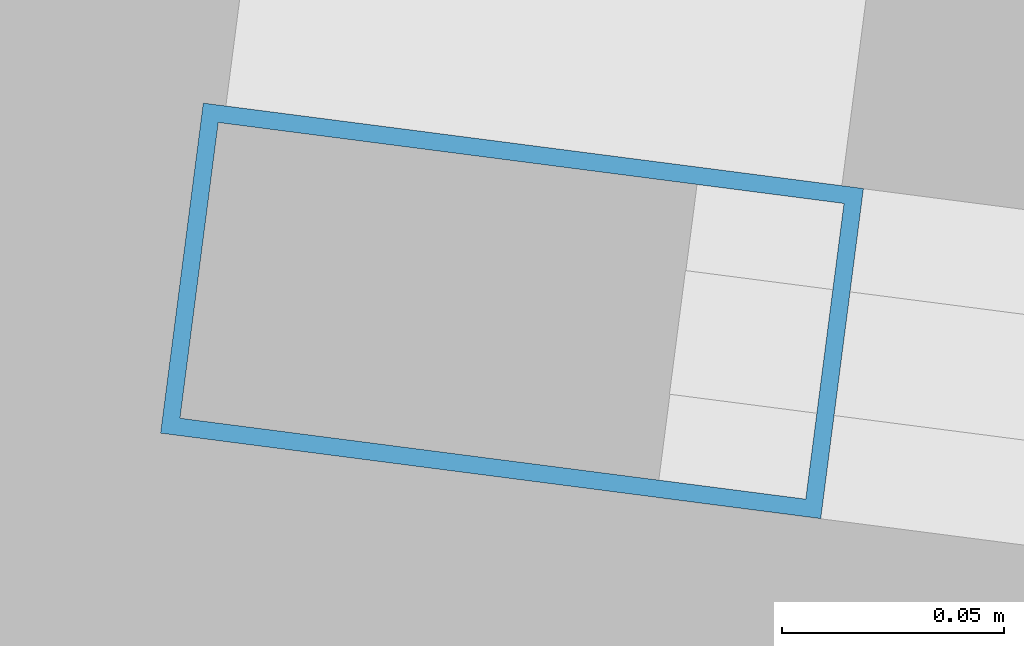
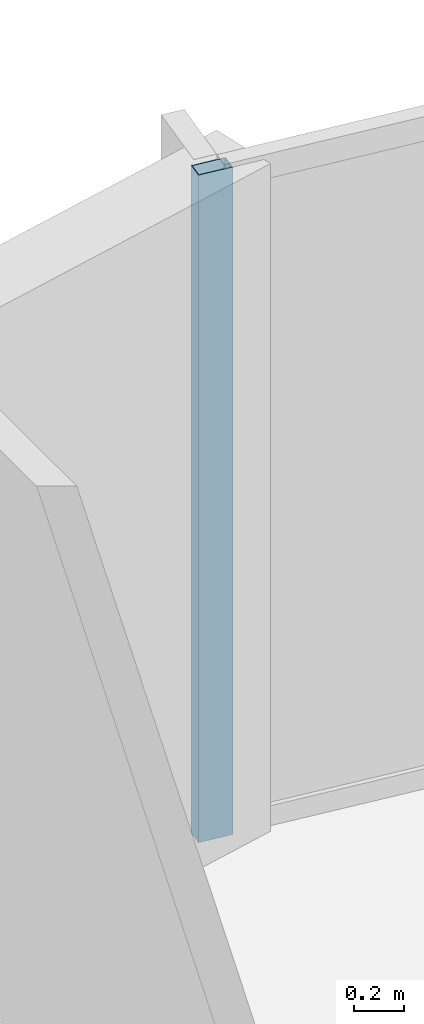
# One storey, part 22 of 33: 1 member, 1 element without a shape of its own.
"""IFC4 building model written with IfcOpenShell, lengths in metres."""

from ifc_helpers import new_model, si_unit, direction, frame, origin, origin_2d, place, context, subcontext, project, spatial, hollow_rectangle, extrude, material, layer, layer_set, material_profile, profile_set, type_object, element, aggregate, save


model = new_model("IFC4")

# Units and contexts
model_context = context("Model", 3, precision=1e-05, world=origin(), true_north=direction((0.0, 1.0)))
body_context = subcontext(model_context, "Body", "Model", "MODEL_VIEW")
ifc_project = project(units=[si_unit("LENGTHUNIT", "METRE"), si_unit("AREAUNIT", "SQUARE_METRE"), si_unit("VOLUMEUNIT", "CUBIC_METRE"), si_unit("PLANEANGLEUNIT", "RADIAN"), si_unit("MASSUNIT", "GRAM", prefix="KILO")], contexts=[model_context])

# Site, building, storey
site_placement = place(None, origin())
site = spatial("IfcSite", under=ifc_project, at=site_placement, CompositionType="ELEMENT")
building_placement = place(site_placement, origin())
building = spatial("IfcBuilding", under=site, at=building_placement, Name="Kazevale Care Tower and Concert Hall", CompositionType="ELEMENT")
storey_placement = place(building_placement, frame((0.0, 0.0, 178.199951171875)))
storey = spatial("IfcBuildingStorey", under=building, at=storey_placement, Name="L47", CompositionType="ELEMENT", Elevation=178.199951171875)

# Curtain wall, member
ifc_material_1 = material(Name="Aluminium 6063-T6 and Low-E Glass", Category="aluminium")
ifc_layer = layer(ifc_material_1, 0.179931640625)
ifc_layer_set = layer_set([ifc_layer], Name="Aluminium 6063-T6 and Low-E Glass")
curtain_wall_type = type_object("IfcCurtainWallType", Name="Convex Recessed Sunroom Curtain Wall CW-3", PredefinedType="NOTDEFINED", material=ifc_layer_set)
curtain_wall_placement = place(storey_placement, origin())
curtain_wall = element("IfcCurtainWall", 1, at=curtain_wall_placement, inside=storey, type_object=curtain_wall_type, Name="cw:L47:f16", PredefinedType="NOTDEFINED")
ifc_material_2 = material(Name="Aluminium 6063-T6", Category="aluminium")
ifc_material_profile = material_profile(ifc_material_2, hollow_rectangle(XDim=0.074951171875, YDim=0.14990234375, WallThickness=0.00390625, at=origin_2d()), Name="ALU75x150x4")
ifc_profile_set = profile_set([ifc_material_profile], Name="Aluminium 6063-T6")
member_type = type_object("IfcMemberType", Name="CW-3 Mullion ALU75x150x4", PredefinedType="MULLION", material=ifc_profile_set)
member_placement = place(storey_placement, frame((45.078125, 64.817138671875, 0.0), z_axis=(0.0, 0.0, 1.0), x_axis=(0.128299815569, 0.99173542708, 0.0)))
member = element("IfcMember", 2, at=member_placement, type_object=member_type, Name="CW-3 mullion 1", PredefinedType="MULLION", context=body_context, shape_type="SweptSolid", body=[
    extrude(hollow_rectangle(XDim=0.074951171875, YDim=0.14990234375, WallThickness=0.00390625, at=origin_2d()), origin(), (0.0, 0.0, 1.0), 3.280029296875),
])
aggregate(curtain_wall, [member])

save(model, "model.ifc")
